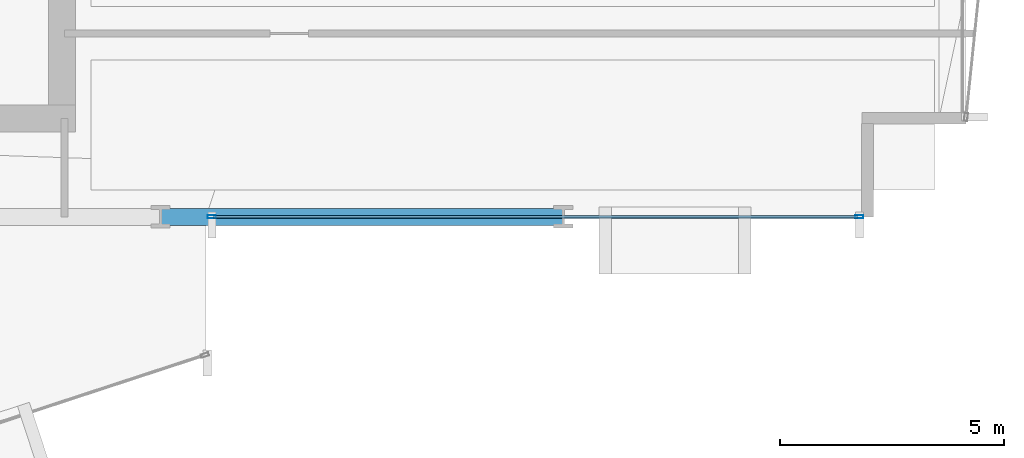
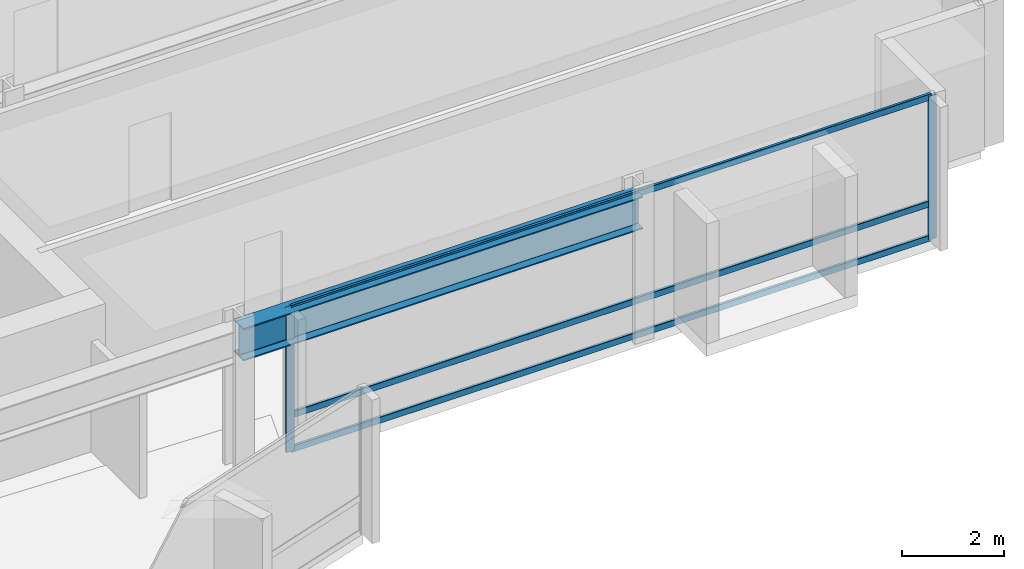
# One storey, part 12 of 34: 5 members, 1 beam, 1 element without a shape of its own.
"""IFC4 building model written with IfcOpenShell, lengths in metres."""

from ifc_helpers import new_model, si_unit, direction, frame, origin, origin_2d, place, context, subcontext, project, spatial, hollow_rectangle, i_section, extrude, material, layer, layer_set, material_profile, profile_set, type_object, element, aggregate, save


model = new_model("IFC4")

# Units and contexts
model_context = context("Model", 3, precision=1e-05, world=origin(), true_north=direction((0.0, 1.0)))
body_context = subcontext(model_context, "Body", "Model", "MODEL_VIEW")
ifc_project = project(units=[si_unit("LENGTHUNIT", "METRE"), si_unit("AREAUNIT", "SQUARE_METRE"), si_unit("VOLUMEUNIT", "CUBIC_METRE"), si_unit("PLANEANGLEUNIT", "RADIAN"), si_unit("MASSUNIT", "GRAM", prefix="KILO")], contexts=[model_context])

# Site, building, storey
site_placement = place(None, origin())
site = spatial("IfcSite", under=ifc_project, at=site_placement, CompositionType="ELEMENT")
building_placement = place(site_placement, origin())
building = spatial("IfcBuilding", under=site, at=building_placement, Name="Solvaryn Broadcast Tower", CompositionType="ELEMENT")
storey_placement = place(building_placement, frame((0.0, 0.0, 54.5)))
storey = spatial("IfcBuildingStorey", under=building, at=storey_placement, Name="L12", CompositionType="ELEMENT", Elevation=54.5)

# Beam
ifc_material_1 = material(Name="Steel ASTM A992 Grade 50", Category="steel")
ifc_material_profile_1 = material_profile(ifc_material_1, i_section(OverallWidth=0.381103515625, OverallDepth=0.77294921875, WebThickness=0.0166015625, FlangeThickness=0.027099609375, FilletRadius=0.01806640625, at=origin_2d()))
ifc_profile_set_1 = profile_set([ifc_material_profile_1], Name="Steel ASTM A992 Grade 50")
beam_type = type_object("IfcBeamType", Name="BM-SP1-W30X173", PredefinedType="USERDEFINED", material=ifc_profile_set_1)
beam_placement = place(storey_placement, frame((45.0, 9.0, 3.033447265625), z_axis=(1.0, 0.0, 0.0), x_axis=(0.0, 1.0, 0.0)))
element("IfcBeam", 1, at=beam_placement, inside=storey, type_object=beam_type, Name="L12 Spandrel Beam X (45-54 @ Y=9)", ObjectType="SPANDREL", PredefinedType="USERDEFINED", context=body_context, shape_type="SweptSolid", body=[
    extrude(i_section(OverallWidth=0.381103515625, OverallDepth=0.77294921875, WebThickness=0.0166015625, FlangeThickness=0.027099609375, FilletRadius=0.01806640625, at=origin_2d()), origin(), (0.0, 0.0, 1.0), 9.0),
])

# Curtain wall, members
ifc_material_2 = material(Name="Aluminium and Terracotta Unitised Curtain Wall", Category="masonry")
ifc_layer = layer(ifc_material_2, 0.199951171875)
ifc_layer_set = layer_set([ifc_layer], Name="CW-SYS2-LOWMID")
curtain_wall_type = type_object("IfcCurtainWallType", Name="CW-SYS2-LOWMID", PredefinedType="NOTDEFINED", material=ifc_layer_set)
curtain_wall_placement = place(storey_placement, origin())
curtain_wall = element("IfcCurtainWall", 2, at=curtain_wall_placement, inside=storey, type_object=curtain_wall_type, Name="L12 Curtain Wall S2", PredefinedType="NOTDEFINED")
ifc_material_3 = material(Name="Anodised Aluminium 6063-T6", Category="aluminium")
ifc_material_profile_2 = material_profile(ifc_material_3, hollow_rectangle(XDim=0.074951171875, YDim=0.179931640625, WallThickness=0.00390625, InnerFilletRadius=0.00390625, OuterFilletRadius=0.008056640625, at=origin_2d()))
ifc_profile_set_2 = profile_set([ifc_material_profile_2], Name="Anodised Aluminium 6063-T6")
member_type_1 = type_object("IfcMemberType", Name="CW-MUL-180", PredefinedType="MULLION", material=ifc_profile_set_2)
member_1_placement = place(storey_placement, frame((46.14599609375, 9.0, 0.0), z_axis=(0.0, 0.0, 1.0), x_axis=(0.0, 1.0, 0.0)))
member_1 = element("IfcMember", 3, at=member_1_placement, type_object=member_type_1, Name="CWS2 mullion 1", PredefinedType="MULLION", context=body_context, shape_type="SweptSolid", body=[
    extrude(hollow_rectangle(XDim=0.074951171875, YDim=0.179931640625, WallThickness=0.00390625, InnerFilletRadius=0.00390625, OuterFilletRadius=0.008056640625, at=origin_2d()), origin(), (0.0, 0.0, 1.0), 3.419921875),
])
member_2_placement = place(storey_placement, frame((60.6201171875, 9.0, 0.0), z_axis=(0.0, 0.0, 1.0), x_axis=(0.0, 1.0, 0.0)))
member_2 = element("IfcMember", 4, at=member_2_placement, type_object=member_type_1, Name="CWS2 mullion 2", PredefinedType="MULLION", context=body_context, shape_type="SweptSolid", body=[
    extrude(hollow_rectangle(XDim=0.074951171875, YDim=0.179931640625, WallThickness=0.00390625, InnerFilletRadius=0.00390625, OuterFilletRadius=0.008056640625, at=origin_2d()), origin(), (0.0, 0.0, 1.0), 3.419921875),
])
ifc_material_4 = material(Name="Anodised Aluminium 6063-T6", Category="aluminium")
ifc_material_profile_3 = material_profile(ifc_material_4, hollow_rectangle(XDim=0.06494140625, YDim=0.14990234375, WallThickness=0.00390625, InnerFilletRadius=0.00390625, OuterFilletRadius=0.008056640625, at=origin_2d()))
ifc_profile_set_3 = profile_set([ifc_material_profile_3], Name="Anodised Aluminium 6063-T6")
member_type_2 = type_object("IfcMemberType", Name="CW-TRN-150", PredefinedType="USERDEFINED", material=ifc_profile_set_3)
member_3_placement = place(storey_placement, frame((46.176025390625, 9.0, 0.030029296875), z_axis=(1.0, 0.0, 0.0), x_axis=(0.0, 1.0, 0.0)))
member_3 = element("IfcMember", 5, at=member_3_placement, type_object=member_type_2, Name="CWS2 transom 1.1", ObjectType="TRANSOM", PredefinedType="USERDEFINED", context=body_context, shape_type="SweptSolid", body=[
    extrude(hollow_rectangle(XDim=0.06494140625, YDim=0.14990234375, WallThickness=0.00390625, InnerFilletRadius=0.00390625, OuterFilletRadius=0.008056640625, at=origin_2d()), origin(), (0.0, 0.0, 1.0), 14.4140625),
])
member_4_placement = place(storey_placement, frame((46.176025390625, 9.0, 0.85009765625), z_axis=(1.0, 0.0, 0.0), x_axis=(0.0, 1.0, 0.0)))
member_4 = element("IfcMember", 6, at=member_4_placement, type_object=member_type_2, Name="CWS2 transom 1.2", ObjectType="TRANSOM", PredefinedType="USERDEFINED", context=body_context, shape_type="SweptSolid", body=[
    extrude(hollow_rectangle(XDim=0.06494140625, YDim=0.14990234375, WallThickness=0.00390625, InnerFilletRadius=0.00390625, OuterFilletRadius=0.008056640625, at=origin_2d()), origin(), (0.0, 0.0, 1.0), 14.4140625),
])
member_5_placement = place(storey_placement, frame((46.176025390625, 9.0, 3.389892578125), z_axis=(1.0, 0.0, 0.0), x_axis=(0.0, 1.0, 0.0)))
member_5 = element("IfcMember", 7, at=member_5_placement, type_object=member_type_2, Name="CWS2 transom 1.3", ObjectType="TRANSOM", PredefinedType="USERDEFINED", context=body_context, shape_type="SweptSolid", body=[
    extrude(hollow_rectangle(XDim=0.06494140625, YDim=0.14990234375, WallThickness=0.00390625, InnerFilletRadius=0.00390625, OuterFilletRadius=0.008056640625, at=origin_2d()), origin(), (0.0, 0.0, 1.0), 14.4140625),
])
aggregate(curtain_wall, [member_1, member_2, member_3, member_4, member_5])

save(model, "model.ifc")
